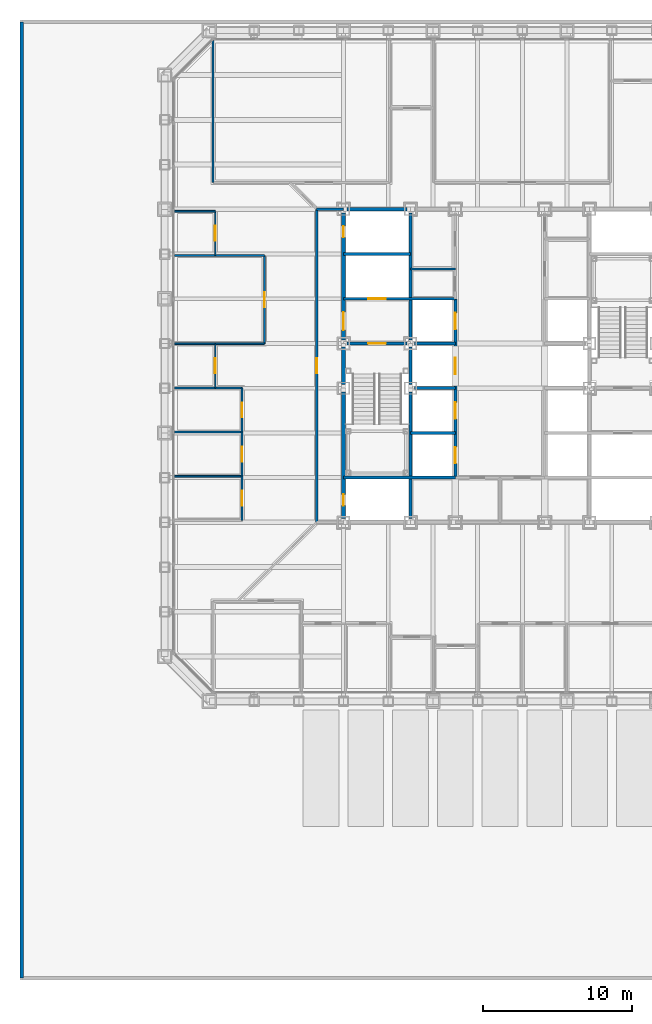
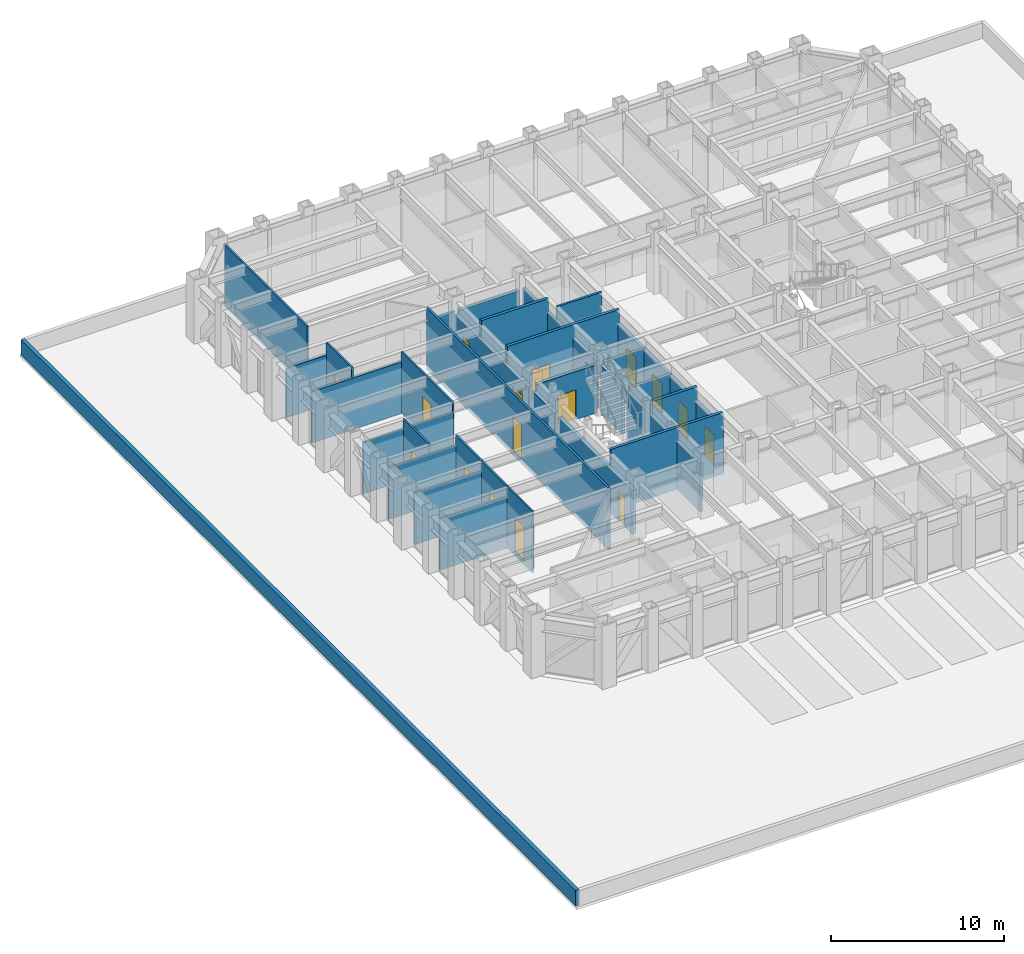
# One storey, part 10 of 18: 32 walls, 16 doors, 16 openings.
"""IFC4 building model written with IfcOpenShell, lengths in metres."""

from ifc_helpers import new_model, si_unit, direction, frame, frame_2d, origin, place, context, subcontext, project, spatial, rectangle, extrude, material, layer, layer_set, type_object, element, fill, save


model = new_model("IFC4")

# Units and contexts
model_context = context("Model", 3, precision=1e-05, world=origin(), true_north=direction((0.0, 1.0)))
body_context = subcontext(model_context, "Body", "Model", "MODEL_VIEW")
ifc_project = project(units=[si_unit("LENGTHUNIT", "METRE"), si_unit("AREAUNIT", "SQUARE_METRE"), si_unit("VOLUMEUNIT", "CUBIC_METRE"), si_unit("PLANEANGLEUNIT", "RADIAN"), si_unit("MASSUNIT", "GRAM", prefix="KILO")], contexts=[model_context])

# Site, building, storey
site_placement = place(None, origin())
site = spatial("IfcSite", under=ifc_project, at=site_placement, CompositionType="ELEMENT")
building_placement = place(site_placement, origin())
building = spatial("IfcBuilding", under=site, at=building_placement, Name="Chuquiago Exchange Tower", CompositionType="ELEMENT")
storey_placement = place(building_placement, frame((0.0, 0.0, 24.300048828125)))
storey = spatial("IfcBuildingStorey", under=building, at=storey_placement, Name="L04", CompositionType="ELEMENT", Elevation=24.300048828125)

# Wall, opening, door
ifc_material_1 = material(Name="Concrete masonry, fully grouted", Category="masonry")
ifc_layer_1 = layer(ifc_material_1, 0.25)
ifc_layer_set_1 = layer_set([ifc_layer_1], Name="W1 core wall 250")
wall_type_1 = type_object("IfcWallType", Name="W1 core wall 250", PredefinedType="SOLIDWALL", material=ifc_layer_set_1)
wall_1_placement = place(storey_placement, frame((12.0, 12.25, 0.0), z_axis=(0.0, 0.0, 1.0), x_axis=(0.0, 1.0, 0.0)))
wall_1 = element("IfcWall", 1, at=wall_1_placement, inside=storey, type_object=wall_type_1, Name="CW-L04-00-0", PredefinedType="SOLIDWALL", context=body_context, shape_type="SweptSolid", body=[
    extrude(rectangle(XDim=8.5, YDim=0.25, at=frame_2d((4.25, 0.0))), origin(), (0.0, 0.0, 1.0), 3.11279296875),
])
opening_1_placement = place(wall_1_placement, frame((0.875, 0.0, 0.0)))
opening_1 = element("IfcOpeningElement", 2, at=opening_1_placement, cuts=wall_1, Name="Opening L04-007", PredefinedType="OPENING", context=body_context, shape_type="SweptSolid", body=[
    extrude(rectangle(XDim=0.75, YDim=2.10009765625, at=frame_2d((0.375, 1.050048828125))), frame((0.0, 0.135009765625, 0.0), z_axis=(0.0, -1.0, 0.0), x_axis=(1.0, 0.0, 0.0)), (0.0, 0.0, 1.0), 0.27001953125),
])
ifc_material_2 = material(Name="Steel door, painted", Category="steel")
door_type_1 = type_object("IfcDoorType", Name="D6 riser access door 750x2100", OperationType="SINGLE_SWING_LEFT", PredefinedType="DOOR", material=ifc_material_2)
door_1_placement = place(opening_1_placement, origin())
door_1 = element("IfcDoor", 3, at=door_1_placement, inside=storey, type_object=door_type_1, Name="Riser RW1 door", OperationType="SINGLE_SWING_LEFT", OverallHeight=2.10009765625, OverallWidth=0.75, PredefinedType="DOOR", context=body_context, shape_type="SweptSolid", body=[
    extrude(rectangle(XDim=0.75, YDim=2.10009765625, at=frame_2d((0.375, 1.050048828125))), frame((0.0, 0.02490234375, 0.0), z_axis=(0.0, -1.0, 0.0), x_axis=(1.0, 0.0, 0.0)), (0.0, 0.0, 1.0), 0.050048828125),
])
fill(opening_1, door_1)

# Wall
wall_2_placement = place(storey_placement, frame((12.0, 21.25, 0.0), z_axis=(0.0, 0.0, 1.0), x_axis=(0.0, 1.0, 0.0)))
element("IfcWall", 4, at=wall_2_placement, inside=storey, type_object=wall_type_1, Name="CW-L04-00-1", PredefinedType="SOLIDWALL", context=body_context, shape_type="SweptSolid", body=[
    extrude(rectangle(XDim=2.5, YDim=0.25, at=frame_2d((1.25, 0.0))), origin(), (0.0, 0.0, 1.0), 3.11279296875),
])

# Wall, openings, doors
wall_3_placement = place(storey_placement, frame((12.0, 24.25, 0.0), z_axis=(0.0, 0.0, 1.0), x_axis=(0.0, 1.0, 0.0)))
wall_3 = element("IfcWall", 5, at=wall_3_placement, inside=storey, type_object=wall_type_1, Name="CW-L04-00-2", PredefinedType="SOLIDWALL", context=body_context, shape_type="SweptSolid", body=[
    extrude(rectangle(XDim=8.5, YDim=0.25, at=frame_2d((4.25, 0.0))), origin(), (0.0, 0.0, 1.0), 3.11279296875),
])
opening_2_placement = place(wall_3_placement, frame((0.64990234375, 0.0, 0.0)))
opening_2 = element("IfcOpeningElement", 6, at=opening_2_placement, cuts=wall_3, Name="Opening L04-002", PredefinedType="OPENING", context=body_context, shape_type="SweptSolid", body=[
    extrude(rectangle(XDim=1.199951171875, YDim=2.10009765625, at=frame_2d((0.60009765625, 1.050048828125))), frame((0.0, 0.135009765625, 0.0), z_axis=(0.0, -1.0, 0.0), x_axis=(1.0, 0.0, 0.0)), (0.0, 0.0, 1.0), 0.27001953125),
])
opening_3_placement = place(wall_3_placement, frame((6.875, 0.0, 0.0)))
opening_3 = element("IfcOpeningElement", 7, at=opening_3_placement, cuts=wall_3, Name="Opening L04-008", PredefinedType="OPENING", context=body_context, shape_type="SweptSolid", body=[
    extrude(rectangle(XDim=0.75, YDim=2.10009765625, at=frame_2d((0.375, 1.050048828125))), frame((0.0, 0.135009765625, 0.0), z_axis=(0.0, -1.0, 0.0), x_axis=(1.0, 0.0, 0.0)), (0.0, 0.0, 1.0), 0.27001953125),
])
ifc_material_3 = material(Name="Steel door, painted", Category="steel")
door_type_2 = type_object("IfcDoorType", Name="D5 firefighting lobby door 1200x2100", OperationType="SINGLE_SWING_LEFT", PredefinedType="DOOR", material=ifc_material_3)
door_2_placement = place(opening_2_placement, frame((1.199951171875, 0.0, 0.0), z_axis=(0.0, 0.0, 1.0), x_axis=(-1.0, 0.0, 0.0)))
door_2 = element("IfcDoor", 8, at=door_2_placement, inside=storey, type_object=door_type_2, Name="Firefighting lobby 1 door", OperationType="SINGLE_SWING_RIGHT", OverallHeight=2.10009765625, OverallWidth=1.199951171875, PredefinedType="DOOR", context=body_context, shape_type="SweptSolid", body=[
    extrude(rectangle(XDim=1.199951171875, YDim=2.10009765625, at=frame_2d((0.60009765625, 1.050048828125))), frame((0.0, 0.02490234375, 0.0), z_axis=(0.0, -1.0, 0.0), x_axis=(1.0, 0.0, 0.0)), (0.0, 0.0, 1.0), 0.050048828125),
])
fill(opening_2, door_2)
door_3_placement = place(opening_3_placement, origin())
door_3 = element("IfcDoor", 9, at=door_3_placement, inside=storey, type_object=door_type_1, Name="Riser RW2 door", OperationType="SINGLE_SWING_RIGHT", OverallHeight=2.10009765625, OverallWidth=0.75, PredefinedType="DOOR", context=body_context, shape_type="SweptSolid", body=[
    extrude(rectangle(XDim=0.75, YDim=2.10009765625, at=frame_2d((0.375, 1.050048828125))), frame((0.0, 0.02490234375, 0.0), z_axis=(0.0, -1.0, 0.0), x_axis=(1.0, 0.0, 0.0)), (0.0, 0.0, 1.0), 0.050048828125),
])
fill(opening_3, door_3)

# Wall
wall_4_placement = place(storey_placement, frame((12.25, 33.0, 0.0), z_axis=(0.0, 0.0, 1.0), x_axis=(1.0, 0.0, 0.0)))
element("IfcWall", 10, at=wall_4_placement, inside=storey, type_object=wall_type_1, Name="CW-L04-11-0", PredefinedType="SOLIDWALL", context=body_context, shape_type="SweptSolid", body=[
    extrude(rectangle(XDim=4.0, YDim=0.25, at=frame_2d((2.0, 0.0))), origin(), (0.0, 0.0, 1.0), 3.181396484375),
])

# Wall, opening, door
ifc_material_4 = material(Name="Gypsum board on steel studs, acoustic insulation", Category="steel")
ifc_layer_2 = layer(ifc_material_4, 0.14990234375)
ifc_layer_set_2 = layer_set([ifc_layer_2], Name="W11 corridor wall 150")
wall_type_2 = type_object("IfcWallType", Name="W11 corridor wall 150", PredefinedType="PARTITIONING", material=ifc_layer_set_2)
wall_5_placement = place(storey_placement, frame((10.199951171875, 12.0, -0.300048828125), z_axis=(0.0, 0.0, 1.0), x_axis=(0.0, 1.0, 0.0)))
wall_5 = element("IfcWall", 11, at=wall_5_placement, inside=storey, type_object=wall_type_2, Name="PW-L04-GW0", PredefinedType="PARTITIONING", context=body_context, shape_type="SweptSolid", body=[
    extrude(rectangle(XDim=21.0, YDim=0.14990234375, at=frame_2d((10.5, 0.0))), origin(), (0.0, 0.0, 1.0), 4.340087890625),
])
opening_4_placement = place(wall_5_placement, frame((10.0, 0.0, 0.300048828125)))
opening_4 = element("IfcOpeningElement", 12, at=opening_4_placement, cuts=wall_5, Name="Opening L04-052", PredefinedType="OPENING", context=body_context, shape_type="SweptSolid", body=[
    extrude(rectangle(XDim=1.0, YDim=2.39990234375, at=frame_2d((0.5, 1.199951171875))), frame((0.0, 0.0849609375, 0.0), z_axis=(0.0, -1.0, 0.0), x_axis=(1.0, 0.0, 0.0)), (0.0, 0.0, 1.0), 0.169921875),
])
ifc_material_5 = material(Name="Timber door, laminate faced", Category="wood")
door_type_3 = type_object("IfcDoorType", Name="D9 room door 1000x2400", OperationType="SINGLE_SWING_LEFT", PredefinedType="DOOR", material=ifc_material_5)
door_4_placement = place(opening_4_placement, origin())
door_4 = element("IfcDoor", 13, at=door_4_placement, inside=storey, type_object=door_type_3, Name="Team area door", OperationType="SINGLE_SWING_LEFT", OverallHeight=2.39990234375, OverallWidth=1.0, PredefinedType="DOOR", context=body_context, shape_type="SweptSolid", body=[
    extrude(rectangle(XDim=1.0, YDim=2.39990234375, at=frame_2d((0.5, 1.199951171875))), frame((0.0, 0.02490234375, 0.0), z_axis=(0.0, -1.0, 0.0), x_axis=(1.0, 0.0, 0.0)), (0.0, 0.0, 1.0), 0.050048828125),
])
fill(opening_4, door_4)

# Walls
wall_6_placement = place(storey_placement, frame((10.199951171875, 33.0, -0.300048828125), z_axis=(0.0, 0.0, 1.0), x_axis=(1.0, 0.0, 0.0)))
element("IfcWall", 14, at=wall_6_placement, inside=storey, type_object=wall_type_2, Name="PW-L04-GWN0", PredefinedType="PARTITIONING", context=body_context, shape_type="SweptSolid", body=[
    extrude(rectangle(XDim=1.800048828125, YDim=0.14990234375, at=frame_2d((0.89990234375, 0.0))), origin(), (0.0, 0.0, 1.0), 3.4814453125),
])
ifc_material_6 = material(Name="Concrete masonry, fully grouted", Category="masonry")
ifc_layer_3 = layer(ifc_material_6, 0.199951171875)
ifc_layer_set_3 = layer_set([ifc_layer_3], Name="W2 shaft wall 200")
wall_type_3 = type_object("IfcWallType", Name="W2 shaft wall 200", PredefinedType="SOLIDWALL", material=ifc_layer_set_3)
wall_7_placement = place(storey_placement, frame((12.0, 15.0, 0.0), z_axis=(0.0, 0.0, 1.0), x_axis=(1.0, 0.0, 0.0)))
element("IfcWall", 15, at=wall_7_placement, inside=storey, type_object=wall_type_3, Name="CW-L04-03-0", PredefinedType="SOLIDWALL", context=body_context, shape_type="SweptSolid", body=[
    extrude(rectangle(XDim=7.5, YDim=0.199951171875, at=frame_2d((3.75, 0.0))), origin(), (0.0, 0.0, 1.0), 4.33984375),
])

# Wall, opening, door
wall_8_placement = place(storey_placement, frame((12.25, 24.0, 0.0), z_axis=(0.0, 0.0, 1.0), x_axis=(1.0, 0.0, 0.0)))
wall_8 = element("IfcWall", 16, at=wall_8_placement, inside=storey, type_object=wall_type_3, Name="CW-L04-05-0", PredefinedType="SOLIDWALL", context=body_context, shape_type="SweptSolid", body=[
    extrude(rectangle(XDim=4.0, YDim=0.199951171875, at=frame_2d((2.0, 0.0))), origin(), (0.0, 0.0, 1.0), 3.389892578125),
])
opening_5_placement = place(wall_8_placement, frame((1.39990234375, 0.0, 0.0)))
opening_5 = element("IfcOpeningElement", 17, at=opening_5_placement, cuts=wall_8, Name="Opening L04-001", PredefinedType="OPENING", context=body_context, shape_type="SweptSolid", body=[
    extrude(rectangle(XDim=1.199951171875, YDim=2.10009765625, at=frame_2d((0.60009765625, 1.050048828125))), frame((0.0, 0.10986328125, 0.0), z_axis=(0.0, -1.0, 0.0), x_axis=(1.0, 0.0, 0.0)), (0.0, 0.0, 1.0), 0.219970703125),
])
ifc_material_7 = material(Name="Steel door, painted", Category="steel")
door_type_4 = type_object("IfcDoorType", Name="D4 stair door 1200x2100", OperationType="SINGLE_SWING_LEFT", PredefinedType="DOOR", material=ifc_material_7)
door_5_placement = place(opening_5_placement, frame((1.199951171875, 0.0, 0.0), z_axis=(0.0, 0.0, 1.0), x_axis=(-1.0, 0.0, 0.0)))
door_5 = element("IfcDoor", 18, at=door_5_placement, inside=storey, type_object=door_type_4, Name="Stair ST1 door", OperationType="SINGLE_SWING_RIGHT", OverallHeight=2.10009765625, OverallWidth=1.199951171875, PredefinedType="DOOR", context=body_context, shape_type="SweptSolid", body=[
    extrude(rectangle(XDim=1.199951171875, YDim=2.10009765625, at=frame_2d((0.60009765625, 1.050048828125))), frame((0.0, 0.02490234375, 0.0), z_axis=(0.0, -1.0, 0.0), x_axis=(1.0, 0.0, 0.0)), (0.0, 0.0, 1.0), 0.050048828125),
])
fill(opening_5, door_5)

# Wall
wall_9_placement = place(storey_placement, frame((16.75, 24.0, 0.0), z_axis=(0.0, 0.0, 1.0), x_axis=(1.0, 0.0, 0.0)))
element("IfcWall", 19, at=wall_9_placement, inside=storey, type_object=wall_type_3, Name="CW-L04-05-1", PredefinedType="SOLIDWALL", context=body_context, shape_type="SweptSolid", body=[
    extrude(rectangle(XDim=2.75, YDim=0.199951171875, at=frame_2d((1.375, 0.0))), origin(), (0.0, 0.0, 1.0), 3.389892578125),
])

# Wall, opening, door
wall_10_placement = place(storey_placement, frame((12.0, 27.0, 0.0), z_axis=(0.0, 0.0, 1.0), x_axis=(1.0, 0.0, 0.0)))
wall_10 = element("IfcWall", 20, at=wall_10_placement, inside=storey, type_object=wall_type_3, Name="CW-L04-07-0", PredefinedType="SOLIDWALL", context=body_context, shape_type="SweptSolid", body=[
    extrude(rectangle(XDim=7.5, YDim=0.199951171875, at=frame_2d((3.75, 0.0))), origin(), (0.0, 0.0, 1.0), 4.33984375),
])
opening_6_placement = place(wall_10_placement, frame((1.64990234375, 0.0, 0.0)))
opening_6 = element("IfcOpeningElement", 21, at=opening_6_placement, cuts=wall_10, Name="Opening L04-005", PredefinedType="OPENING", context=body_context, shape_type="SweptSolid", body=[
    extrude(rectangle(XDim=1.199951171875, YDim=2.10009765625, at=frame_2d((0.60009765625, 1.050048828125))), frame((0.0, 0.10986328125, 0.0), z_axis=(0.0, -1.0, 0.0), x_axis=(1.0, 0.0, 0.0)), (0.0, 0.0, 1.0), 0.219970703125),
])
ifc_material_8 = material(Name="Stainless steel lift landing door", Category="steel")
door_type_5 = type_object("IfcDoorType", Name="LD2 firefighting lift landing door 1200x2100", OperationType="DOUBLE_DOOR_SLIDING", PredefinedType="DOOR", material=ifc_material_8)
door_6_placement = place(opening_6_placement, origin())
door_6 = element("IfcDoor", 22, at=door_6_placement, inside=storey, type_object=door_type_5, Name="Firefighting lift FL1 landing door", OperationType="DOUBLE_DOOR_SLIDING", OverallHeight=2.10009765625, OverallWidth=1.199951171875, PredefinedType="DOOR", context=body_context, shape_type="SweptSolid", body=[
    extrude(rectangle(XDim=1.199951171875, YDim=2.10009765625, at=frame_2d((0.60009765625, 1.050048828125))), frame((0.0, 0.02490234375, 0.0), z_axis=(0.0, -1.0, 0.0), x_axis=(1.0, 0.0, 0.0)), (0.0, 0.0, 1.0), 0.050048828125),
])
fill(opening_6, door_6)

# Walls
wall_11_placement = place(storey_placement, frame((12.0, 30.0, 0.0), z_axis=(0.0, 0.0, 1.0), x_axis=(1.0, 0.0, 0.0)))
element("IfcWall", 23, at=wall_11_placement, inside=storey, type_object=wall_type_3, Name="CW-L04-09-0", PredefinedType="SOLIDWALL", context=body_context, shape_type="SweptSolid", body=[
    extrude(rectangle(XDim=4.5, YDim=0.199951171875, at=frame_2d((2.25, 0.0))), origin(), (0.0, 0.0, 1.0), 4.33984375),
])
wall_12_placement = place(storey_placement, frame((16.5, 12.25, 0.0), z_axis=(0.0, 0.0, 1.0), x_axis=(0.0, 1.0, 0.0)))
element("IfcWall", 24, at=wall_12_placement, inside=storey, type_object=wall_type_3, Name="CW-L04-13-0", PredefinedType="SOLIDWALL", context=body_context, shape_type="SweptSolid", body=[
    extrude(rectangle(XDim=8.5, YDim=0.199951171875, at=frame_2d((4.25, 0.0))), origin(), (0.0, 0.0, 1.0), 3.412841796875),
])
wall_13_placement = place(storey_placement, frame((16.5, 21.25, 0.0), z_axis=(0.0, 0.0, 1.0), x_axis=(0.0, 1.0, 0.0)))
element("IfcWall", 25, at=wall_13_placement, inside=storey, type_object=wall_type_3, Name="CW-L04-13-1", PredefinedType="SOLIDWALL", context=body_context, shape_type="SweptSolid", body=[
    extrude(rectangle(XDim=2.5, YDim=0.199951171875, at=frame_2d((1.25, 0.0))), origin(), (0.0, 0.0, 1.0), 3.412841796875),
])
wall_14_placement = place(storey_placement, frame((16.5, 24.25, 0.0), z_axis=(0.0, 0.0, 1.0), x_axis=(0.0, 1.0, 0.0)))
element("IfcWall", 26, at=wall_14_placement, inside=storey, type_object=wall_type_3, Name="CW-L04-13-2", PredefinedType="SOLIDWALL", context=body_context, shape_type="SweptSolid", body=[
    extrude(rectangle(XDim=8.5, YDim=0.199951171875, at=frame_2d((4.25, 0.0))), origin(), (0.0, 0.0, 1.0), 3.412841796875),
])
wall_15_placement = place(storey_placement, frame((16.5, 18.0, 0.0), z_axis=(0.0, 0.0, 1.0), x_axis=(1.0, 0.0, 0.0)))
element("IfcWall", 27, at=wall_15_placement, inside=storey, type_object=wall_type_3, Name="CW-L04-14-0", PredefinedType="SOLIDWALL", context=body_context, shape_type="SweptSolid", body=[
    extrude(rectangle(XDim=3.0, YDim=0.199951171875, at=frame_2d((1.5, 0.0))), origin(), (0.0, 0.0, 1.0), 4.33984375),
])
wall_16_placement = place(storey_placement, frame((16.75, 21.0, 0.0), z_axis=(0.0, 0.0, 1.0), x_axis=(1.0, 0.0, 0.0)))
element("IfcWall", 28, at=wall_16_placement, inside=storey, type_object=wall_type_3, Name="CW-L04-16-0", PredefinedType="SOLIDWALL", context=body_context, shape_type="SweptSolid", body=[
    extrude(rectangle(XDim=2.75, YDim=0.199951171875, at=frame_2d((1.375, 0.0))), origin(), (0.0, 0.0, 1.0), 3.389892578125),
])

# Wall, openings, doors
wall_17_placement = place(storey_placement, frame((19.5, 15.0, 0.0), z_axis=(0.0, 0.0, 1.0), x_axis=(0.0, 1.0, 0.0)))
wall_17 = element("IfcWall", 29, at=wall_17_placement, inside=storey, type_object=wall_type_3, Name="CW-L04-19-0", PredefinedType="SOLIDWALL", context=body_context, shape_type="SweptSolid", body=[
    extrude(rectangle(XDim=12.0, YDim=0.199951171875, at=frame_2d((6.0, 0.0))), origin(), (0.0, 0.0, 1.0), 3.364501953125),
])
opening_7_placement = place(wall_17_placement, frame((0.949951171875, 0.0, 0.0)))
opening_7 = element("IfcOpeningElement", 30, at=opening_7_placement, cuts=wall_17, Name="Opening L04-017", PredefinedType="OPENING", context=body_context, shape_type="SweptSolid", body=[
    extrude(rectangle(XDim=1.10009765625, YDim=2.10009765625, at=frame_2d((0.550048828125, 1.050048828125))), frame((0.0, 0.10986328125, 0.0), z_axis=(0.0, -1.0, 0.0), x_axis=(1.0, 0.0, 0.0)), (0.0, 0.0, 1.0), 0.219970703125),
])
opening_8_placement = place(wall_17_placement, frame((3.949951171875, 0.0, 0.0)))
opening_8 = element("IfcOpeningElement", 31, at=opening_8_placement, cuts=wall_17, Name="Opening L04-018", PredefinedType="OPENING", context=body_context, shape_type="SweptSolid", body=[
    extrude(rectangle(XDim=1.10009765625, YDim=2.10009765625, at=frame_2d((0.550048828125, 1.050048828125))), frame((0.0, 0.10986328125, 0.0), z_axis=(0.0, -1.0, 0.0), x_axis=(1.0, 0.0, 0.0)), (0.0, 0.0, 1.0), 0.219970703125),
])
opening_9_placement = place(wall_17_placement, frame((6.949951171875, 0.0, 0.0)))
opening_9 = element("IfcOpeningElement", 32, at=opening_9_placement, cuts=wall_17, Name="Opening L04-019", PredefinedType="OPENING", context=body_context, shape_type="SweptSolid", body=[
    extrude(rectangle(XDim=1.10009765625, YDim=2.10009765625, at=frame_2d((0.550048828125, 1.050048828125))), frame((0.0, 0.10986328125, 0.0), z_axis=(0.0, -1.0, 0.0), x_axis=(1.0, 0.0, 0.0)), (0.0, 0.0, 1.0), 0.219970703125),
])
opening_10_placement = place(wall_17_placement, frame((9.949951171875, 0.0, 0.0)))
opening_10 = element("IfcOpeningElement", 33, at=opening_10_placement, cuts=wall_17, Name="Opening L04-020", PredefinedType="OPENING", context=body_context, shape_type="SweptSolid", body=[
    extrude(rectangle(XDim=1.10009765625, YDim=2.10009765625, at=frame_2d((0.550048828125, 1.050048828125))), frame((0.0, 0.10986328125, 0.0), z_axis=(0.0, -1.0, 0.0), x_axis=(1.0, 0.0, 0.0)), (0.0, 0.0, 1.0), 0.219970703125),
])
ifc_material_9 = material(Name="Stainless steel lift landing door", Category="steel")
door_type_6 = type_object("IfcDoorType", Name="LD1 lift landing door 1100x2100", OperationType="DOUBLE_DOOR_SLIDING", PredefinedType="DOOR", material=ifc_material_9)
door_7_placement = place(opening_7_placement, origin())
door_7 = element("IfcDoor", 34, at=door_7_placement, inside=storey, type_object=door_type_6, Name="Lift LA1 landing door", OperationType="DOUBLE_DOOR_SLIDING", OverallHeight=2.10009765625, OverallWidth=1.10009765625, PredefinedType="DOOR", context=body_context, shape_type="SweptSolid", body=[
    extrude(rectangle(XDim=1.10009765625, YDim=2.10009765625, at=frame_2d((0.550048828125, 1.050048828125))), frame((0.0, 0.02490234375, 0.0), z_axis=(0.0, -1.0, 0.0), x_axis=(1.0, 0.0, 0.0)), (0.0, 0.0, 1.0), 0.050048828125),
])
fill(opening_7, door_7)
door_8_placement = place(opening_8_placement, origin())
door_8 = element("IfcDoor", 35, at=door_8_placement, inside=storey, type_object=door_type_6, Name="Lift LA2 landing door", OperationType="DOUBLE_DOOR_SLIDING", OverallHeight=2.10009765625, OverallWidth=1.10009765625, PredefinedType="DOOR", context=body_context, shape_type="SweptSolid", body=[
    extrude(rectangle(XDim=1.10009765625, YDim=2.10009765625, at=frame_2d((0.550048828125, 1.050048828125))), frame((0.0, 0.02490234375, 0.0), z_axis=(0.0, -1.0, 0.0), x_axis=(1.0, 0.0, 0.0)), (0.0, 0.0, 1.0), 0.050048828125),
])
fill(opening_8, door_8)
door_9_placement = place(opening_9_placement, origin())
door_9 = element("IfcDoor", 36, at=door_9_placement, inside=storey, type_object=door_type_6, Name="Lift LA3 landing door", OperationType="DOUBLE_DOOR_SLIDING", OverallHeight=2.10009765625, OverallWidth=1.10009765625, PredefinedType="DOOR", context=body_context, shape_type="SweptSolid", body=[
    extrude(rectangle(XDim=1.10009765625, YDim=2.10009765625, at=frame_2d((0.550048828125, 1.050048828125))), frame((0.0, 0.02490234375, 0.0), z_axis=(0.0, -1.0, 0.0), x_axis=(1.0, 0.0, 0.0)), (0.0, 0.0, 1.0), 0.050048828125),
])
fill(opening_9, door_9)
door_10_placement = place(opening_10_placement, origin())
door_10 = element("IfcDoor", 37, at=door_10_placement, inside=storey, type_object=door_type_6, Name="Lift LA4 landing door", OperationType="DOUBLE_DOOR_SLIDING", OverallHeight=2.10009765625, OverallWidth=1.10009765625, PredefinedType="DOOR", context=body_context, shape_type="SweptSolid", body=[
    extrude(rectangle(XDim=1.10009765625, YDim=2.10009765625, at=frame_2d((0.550048828125, 1.050048828125))), frame((0.0, 0.02490234375, 0.0), z_axis=(0.0, -1.0, 0.0), x_axis=(1.0, 0.0, 0.0)), (0.0, 0.0, 1.0), 0.050048828125),
])
fill(opening_10, door_10)

# Walls
ifc_material_10 = material(Name="Gypsum board on steel studs", Category="steel")
ifc_layer_4 = layer(ifc_material_10, 0.14990234375)
ifc_layer_set_4 = layer_set([ifc_layer_4], Name="W3 core partition 150")
wall_type_4 = type_object("IfcWallType", Name="W3 core partition 150", PredefinedType="PARTITIONING", material=ifc_layer_set_4)
wall_18_placement = place(storey_placement, frame((16.5, 29.0, 0.0), z_axis=(0.0, 0.0, 1.0), x_axis=(1.0, 0.0, 0.0)))
element("IfcWall", 38, at=wall_18_placement, inside=storey, type_object=wall_type_4, Name="CW-L04-WCMS", PredefinedType="PARTITIONING", context=body_context, shape_type="SweptSolid", body=[
    extrude(rectangle(XDim=3.0, YDim=0.14990234375, at=frame_2d((1.5, 0.0))), origin(), (0.0, 0.0, 1.0), 4.33984375),
])
ifc_material_11 = material(Name="Gypsum board on steel studs", Category="steel")
ifc_layer_5 = layer(ifc_material_11, 0.1201171875)
ifc_layer_set_5 = layer_set([ifc_layer_5], Name="W4 partition 120")
wall_type_5 = type_object("IfcWallType", Name="W4 partition 120", PredefinedType="PARTITIONING", material=ifc_layer_set_5)
wall_19_placement = place(storey_placement, frame((3.24853515625, 44.333984375, -0.300048828125), z_axis=(0.0, 0.0, 1.0), x_axis=(0.0, -1.0, 0.0)))
element("IfcWall", 39, at=wall_19_placement, inside=storey, type_object=wall_type_5, Name="PW-L04-N00325", PredefinedType="PARTITIONING", context=body_context, shape_type="SweptSolid", body=[
    extrude(rectangle(XDim=9.533935546875, YDim=0.1201171875, at=frame_2d((4.76708984375, 0.0))), origin(), (0.0, 0.0, 1.0), 4.340087890625),
])
for number, where, z_axis, x_axis, name in (
    (40, (0.657470703125, 15.095703125, -0.300048828125), (0.0, 0.0, 1.0), (1.0, 0.0, 0.0), "PW-L04-W01510"),
    (41, (0.657470703125, 18.057373046875, -0.300048828125), (0.0, 0.0, 1.0), (1.0, 0.0, 0.0), "PW-L04-W01806"),
    (42, (0.657470703125, 21.01904296875, -0.300048828125), (0.0, 0.0, 1.0), (1.0, 0.0, 0.0), "PW-L04-W02102"),
):
    element("IfcWall", number, at=place(storey_placement, frame(where, z_axis=z_axis, x_axis=x_axis)), inside=storey, type_object=wall_type_5, Name=name, PredefinedType="PARTITIONING", context=body_context, shape_type="SweptSolid", body=[
        extrude(rectangle(XDim=4.54248046875, YDim=0.1201171875, at=frame_2d((2.271240234375, 0.0))), origin(), (0.0, 0.0, 1.0), 3.646484375),
    ])
for number, where, z_axis, x_axis, name in (
    (43, (0.657470703125, 23.98095703125, -0.300048828125), (0.0, 0.0, 1.0), (1.0, 0.0, 0.0), "PW-L04-W02398"),
    (44, (0.657470703125, 29.904296875, -0.300048828125), (0.0, 0.0, 1.0), (1.0, 0.0, 0.0), "PW-L04-W02990"),
):
    element("IfcWall", number, at=place(storey_placement, frame(where, z_axis=z_axis, x_axis=x_axis)), inside=storey, type_object=wall_type_5, Name=name, PredefinedType="PARTITIONING", context=body_context, shape_type="SweptSolid", body=[
        extrude(rectangle(XDim=6.04248046875, YDim=0.1201171875, at=frame_2d((3.021240234375, 0.0))), origin(), (0.0, 0.0, 1.0), 3.646484375),
    ])
wall_20_placement = place(storey_placement, frame((0.657470703125, 32.8662109375, -0.300048828125), z_axis=(0.0, 0.0, 1.0), x_axis=(1.0, 0.0, 0.0)))
element("IfcWall", 45, at=wall_20_placement, inside=storey, type_object=wall_type_5, Name="PW-L04-W03287", PredefinedType="PARTITIONING", context=body_context, shape_type="SweptSolid", body=[
    extrude(rectangle(XDim=2.742431640625, YDim=0.1201171875, at=frame_2d((1.37109375, 0.0))), origin(), (0.0, 0.0, 1.0), 3.4814453125),
])

# Wall, opening, door
wall_21_placement = place(storey_placement, frame((5.199951171875, 12.1337890625, -0.300048828125), z_axis=(0.0, 0.0, 1.0), x_axis=(0.0, 1.0, 0.0)))
wall_21 = element("IfcWall", 46, at=wall_21_placement, inside=storey, type_object=wall_type_5, Name="PW-L04-WF01213", PredefinedType="PARTITIONING", context=body_context, shape_type="SweptSolid", body=[
    extrude(rectangle(XDim=2.9619140625, YDim=0.1201171875, at=frame_2d((1.48095703125, 0.0))), origin(), (0.0, 0.0, 1.0), 4.340087890625),
])
opening_11_placement = place(wall_21_placement, frame((0.98095703125, 0.0, 0.300048828125)))
opening_11 = element("IfcOpeningElement", 47, at=opening_11_placement, cuts=wall_21, Name="Opening L04-046", PredefinedType="OPENING", context=body_context, shape_type="SweptSolid", body=[
    extrude(rectangle(XDim=1.0, YDim=2.39990234375, at=frame_2d((0.5, 1.199951171875))), frame((0.0, 0.070068359375, 0.0), z_axis=(0.0, -1.0, 0.0), x_axis=(1.0, 0.0, 0.0)), (0.0, 0.0, 1.0), 0.14013671875),
])
door_11_placement = place(opening_11_placement, origin())
door_11 = element("IfcDoor", 48, at=door_11_placement, inside=storey, type_object=door_type_3, Name="Office door", OperationType="SINGLE_SWING_RIGHT", OverallHeight=2.39990234375, OverallWidth=1.0, PredefinedType="DOOR", context=body_context, shape_type="SweptSolid", body=[
    extrude(rectangle(XDim=1.0, YDim=2.39990234375, at=frame_2d((0.5, 1.199951171875))), frame((0.0, 0.02490234375, 0.0), z_axis=(0.0, -1.0, 0.0), x_axis=(1.0, 0.0, 0.0)), (0.0, 0.0, 1.0), 0.050048828125),
])
fill(opening_11, door_11)

wall_22_placement = place(storey_placement, frame((5.199951171875, 15.095703125, -0.300048828125), z_axis=(0.0, 0.0, 1.0), x_axis=(0.0, 1.0, 0.0)))
wall_22 = element("IfcWall", 49, at=wall_22_placement, inside=storey, type_object=wall_type_5, Name="PW-L04-WF01510", PredefinedType="PARTITIONING", context=body_context, shape_type="SweptSolid", body=[
    extrude(rectangle(XDim=2.961669921875, YDim=0.1201171875, at=frame_2d((1.48095703125, 0.0))), origin(), (0.0, 0.0, 1.0), 4.340087890625),
])
opening_12_placement = place(wall_22_placement, frame((0.98095703125, 0.0, 0.300048828125)))
opening_12 = element("IfcOpeningElement", 50, at=opening_12_placement, cuts=wall_22, Name="Opening L04-047", PredefinedType="OPENING", context=body_context, shape_type="SweptSolid", body=[
    extrude(rectangle(XDim=1.0, YDim=2.39990234375, at=frame_2d((0.5, 1.199951171875))), frame((0.0, 0.070068359375, 0.0), z_axis=(0.0, -1.0, 0.0), x_axis=(1.0, 0.0, 0.0)), (0.0, 0.0, 1.0), 0.14013671875),
])
door_12_placement = place(opening_12_placement, origin())
door_12 = element("IfcDoor", 51, at=door_12_placement, inside=storey, type_object=door_type_3, Name="Office door", OperationType="SINGLE_SWING_LEFT", OverallHeight=2.39990234375, OverallWidth=1.0, PredefinedType="DOOR", context=body_context, shape_type="SweptSolid", body=[
    extrude(rectangle(XDim=1.0, YDim=2.39990234375, at=frame_2d((0.5, 1.199951171875))), frame((0.0, 0.02490234375, 0.0), z_axis=(0.0, -1.0, 0.0), x_axis=(1.0, 0.0, 0.0)), (0.0, 0.0, 1.0), 0.050048828125),
])
fill(opening_12, door_12)

wall_23_placement = place(storey_placement, frame((5.199951171875, 18.057373046875, -0.300048828125), z_axis=(0.0, 0.0, 1.0), x_axis=(0.0, 1.0, 0.0)))
wall_23 = element("IfcWall", 52, at=wall_23_placement, inside=storey, type_object=wall_type_5, Name="PW-L04-WF01806", PredefinedType="PARTITIONING", context=body_context, shape_type="SweptSolid", body=[
    extrude(rectangle(XDim=2.961669921875, YDim=0.1201171875, at=frame_2d((1.48095703125, 0.0))), origin(), (0.0, 0.0, 1.0), 4.340087890625),
])
opening_13_placement = place(wall_23_placement, frame((0.98095703125, 0.0, 0.300048828125)))
opening_13 = element("IfcOpeningElement", 53, at=opening_13_placement, cuts=wall_23, Name="Opening L04-048", PredefinedType="OPENING", context=body_context, shape_type="SweptSolid", body=[
    extrude(rectangle(XDim=1.0, YDim=2.39990234375, at=frame_2d((0.5, 1.199951171875))), frame((0.0, 0.070068359375, 0.0), z_axis=(0.0, -1.0, 0.0), x_axis=(1.0, 0.0, 0.0)), (0.0, 0.0, 1.0), 0.14013671875),
])
door_13_placement = place(opening_13_placement, origin())
door_13 = element("IfcDoor", 54, at=door_13_placement, inside=storey, type_object=door_type_3, Name="Office door", OperationType="SINGLE_SWING_RIGHT", OverallHeight=2.39990234375, OverallWidth=1.0, PredefinedType="DOOR", context=body_context, shape_type="SweptSolid", body=[
    extrude(rectangle(XDim=1.0, YDim=2.39990234375, at=frame_2d((0.5, 1.199951171875))), frame((0.0, 0.02490234375, 0.0), z_axis=(0.0, -1.0, 0.0), x_axis=(1.0, 0.0, 0.0)), (0.0, 0.0, 1.0), 0.050048828125),
])
fill(opening_13, door_13)

wall_24_placement = place(storey_placement, frame((3.39990234375, 21.01904296875, -0.300048828125), z_axis=(0.0, 0.0, 1.0), x_axis=(0.0, 1.0, 0.0)))
wall_24 = element("IfcWall", 55, at=wall_24_placement, inside=storey, type_object=wall_type_5, Name="PW-L04-WF02102", PredefinedType="PARTITIONING", context=body_context, shape_type="SweptSolid", body=[
    extrude(rectangle(XDim=2.9619140625, YDim=0.1201171875, at=frame_2d((1.48095703125, 0.0))), origin(), (0.0, 0.0, 1.0), 4.340087890625),
])
opening_14_placement = place(wall_24_placement, frame((0.98095703125, 0.0, 0.300048828125)))
opening_14 = element("IfcOpeningElement", 56, at=opening_14_placement, cuts=wall_24, Name="Opening L04-049", PredefinedType="OPENING", context=body_context, shape_type="SweptSolid", body=[
    extrude(rectangle(XDim=1.0, YDim=2.39990234375, at=frame_2d((0.5, 1.199951171875))), frame((0.0, 0.070068359375, 0.0), z_axis=(0.0, -1.0, 0.0), x_axis=(1.0, 0.0, 0.0)), (0.0, 0.0, 1.0), 0.14013671875),
])
ifc_material_12 = material(Name="Timber frame door, full height glazed panel", Category="wood")
door_type_7 = type_object("IfcDoorType", Name="D14 glazed meeting room door 1000x2400", OperationType="SINGLE_SWING_LEFT", PredefinedType="DOOR", material=ifc_material_12)
door_14_placement = place(opening_14_placement, origin())
door_14 = element("IfcDoor", 57, at=door_14_placement, inside=storey, type_object=door_type_7, Name="Focus room door", OperationType="SINGLE_SWING_RIGHT", OverallHeight=2.39990234375, OverallWidth=1.0, PredefinedType="DOOR", context=body_context, shape_type="SweptSolid", body=[
    extrude(rectangle(XDim=1.0, YDim=2.39990234375, at=frame_2d((0.5, 1.199951171875))), frame((0.0, 0.02490234375, 0.0), z_axis=(0.0, -1.0, 0.0), x_axis=(1.0, 0.0, 0.0)), (0.0, 0.0, 1.0), 0.050048828125),
])
fill(opening_14, door_14)

wall_25_placement = place(storey_placement, frame((6.699951171875, 23.98095703125, -0.300048828125), z_axis=(0.0, 0.0, 1.0), x_axis=(0.0, 1.0, 0.0)))
wall_25 = element("IfcWall", 58, at=wall_25_placement, inside=storey, type_object=wall_type_5, Name="PW-L04-WF02398", PredefinedType="PARTITIONING", context=body_context, shape_type="SweptSolid", body=[
    extrude(rectangle(XDim=5.92333984375, YDim=0.1201171875, at=frame_2d((2.961669921875, 0.0))), origin(), (0.0, 0.0, 1.0), 4.340087890625),
])
opening_15_placement = place(wall_25_placement, frame((2.4619140625, 0.0, 0.300048828125)))
opening_15 = element("IfcOpeningElement", 59, at=opening_15_placement, cuts=wall_25, Name="Opening L04-050", PredefinedType="OPENING", context=body_context, shape_type="SweptSolid", body=[
    extrude(rectangle(XDim=1.0, YDim=2.39990234375, at=frame_2d((0.5, 1.199951171875))), frame((0.0, 0.070068359375, 0.0), z_axis=(0.0, -1.0, 0.0), x_axis=(1.0, 0.0, 0.0)), (0.0, 0.0, 1.0), 0.14013671875),
])
door_15_placement = place(opening_15_placement, origin())
door_15 = element("IfcDoor", 60, at=door_15_placement, inside=storey, type_object=door_type_3, Name="Risk management office door", OperationType="SINGLE_SWING_RIGHT", OverallHeight=2.39990234375, OverallWidth=1.0, PredefinedType="DOOR", context=body_context, shape_type="SweptSolid", body=[
    extrude(rectangle(XDim=1.0, YDim=2.39990234375, at=frame_2d((0.5, 1.199951171875))), frame((0.0, 0.02490234375, 0.0), z_axis=(0.0, -1.0, 0.0), x_axis=(1.0, 0.0, 0.0)), (0.0, 0.0, 1.0), 0.050048828125),
])
fill(opening_15, door_15)

wall_26_placement = place(storey_placement, frame((3.39990234375, 29.904296875, -0.300048828125), z_axis=(0.0, 0.0, 1.0), x_axis=(0.0, 1.0, 0.0)))
wall_26 = element("IfcWall", 61, at=wall_26_placement, inside=storey, type_object=wall_type_5, Name="PW-L04-WF02990", PredefinedType="PARTITIONING", context=body_context, shape_type="SweptSolid", body=[
    extrude(rectangle(XDim=2.9619140625, YDim=0.1201171875, at=frame_2d((1.48095703125, 0.0))), origin(), (0.0, 0.0, 1.0), 4.340087890625),
])
opening_16_placement = place(wall_26_placement, frame((0.98095703125, 0.0, 0.300048828125)))
opening_16 = element("IfcOpeningElement", 62, at=opening_16_placement, cuts=wall_26, Name="Opening L04-051", PredefinedType="OPENING", context=body_context, shape_type="SweptSolid", body=[
    extrude(rectangle(XDim=1.0, YDim=2.39990234375, at=frame_2d((0.5, 1.199951171875))), frame((0.0, 0.070068359375, 0.0), z_axis=(0.0, -1.0, 0.0), x_axis=(1.0, 0.0, 0.0)), (0.0, 0.0, 1.0), 0.14013671875),
])
door_16_placement = place(opening_16_placement, origin())
door_16 = element("IfcDoor", 63, at=door_16_placement, inside=storey, type_object=door_type_7, Name="Focus room door", OperationType="SINGLE_SWING_LEFT", OverallHeight=2.39990234375, OverallWidth=1.0, PredefinedType="DOOR", context=body_context, shape_type="SweptSolid", body=[
    extrude(rectangle(XDim=1.0, YDim=2.39990234375, at=frame_2d((0.5, 1.199951171875))), frame((0.0, 0.02490234375, 0.0), z_axis=(0.0, -1.0, 0.0), x_axis=(1.0, 0.0, 0.0)), (0.0, 0.0, 1.0), 0.050048828125),
])
fill(opening_16, door_16)

# Wall
ifc_material_13 = material(Name="Concrete C30/37", Category="concrete")
ifc_layer_6 = layer(ifc_material_13, 0.25)
ifc_layer_set_6 = layer_set([ifc_layer_6], Name="W7 parapet 250")
wall_type_6 = type_object("IfcWallType", Name="W7 parapet 250", PredefinedType="PARAPET", material=ifc_layer_set_6)
wall_27_placement = place(storey_placement, frame((-9.574951171875, 45.574951171875, 0.0), z_axis=(0.0, 0.0, 1.0), x_axis=(0.0, -1.0, 0.0)))
element("IfcWall", 64, at=wall_27_placement, inside=storey, type_object=wall_type_6, Name="Podium roof parapet", PredefinedType="PARAPET", context=body_context, shape_type="SweptSolid", body=[
    extrude(rectangle(XDim=64.14990234375, YDim=0.25, at=frame_2d((32.074951171875, 0.0))), origin(), (0.0, 0.0, 1.0), 1.099853515625),
])

save(model, "model.ifc")
